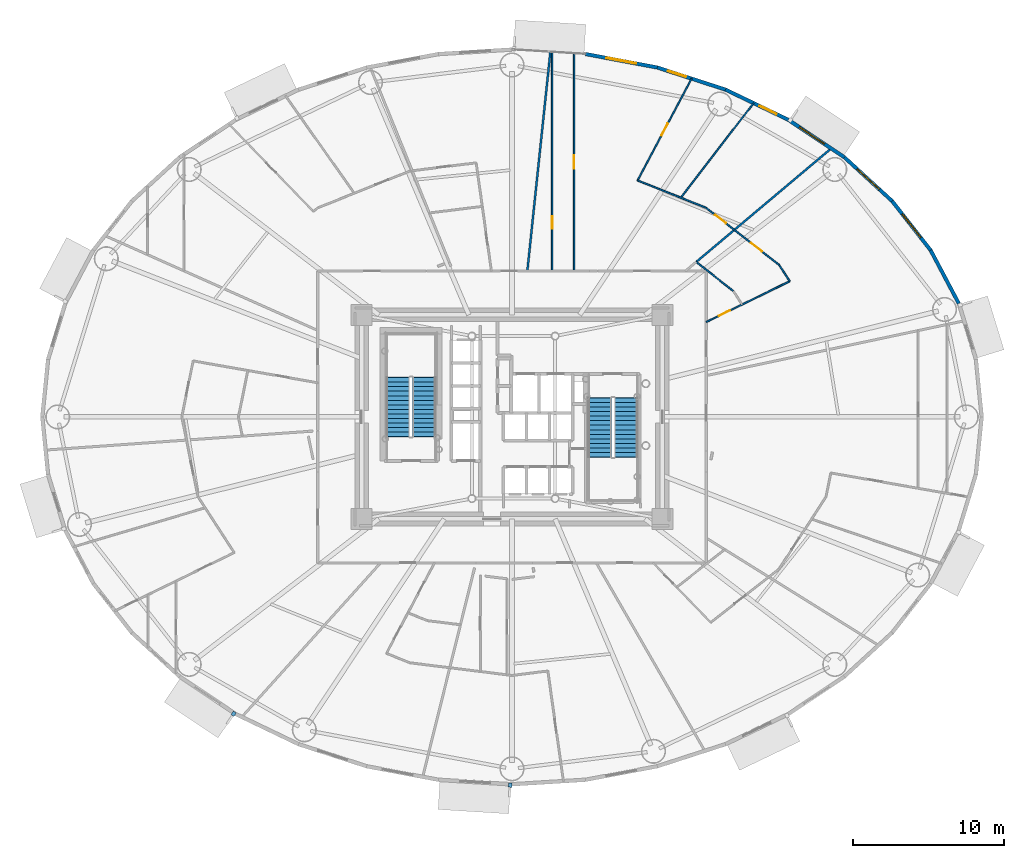
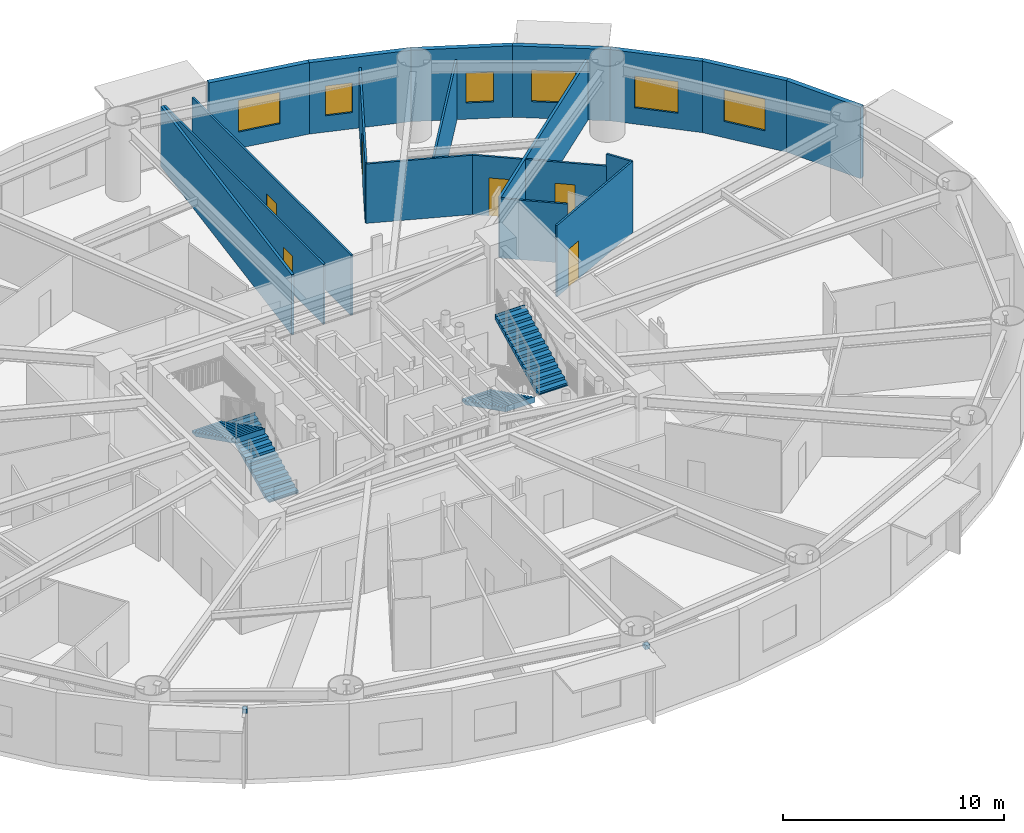
# One storey, part 13 of 21: 18 walls, 6 doors, 6 windows, 4 stair flights, 2 discrete accessories, 12 openings, 2 elements without a shape of their own.
"""IFC4 building model written with IfcOpenShell, lengths in metres."""

from ifc_helpers import new_model, si_unit, direction, frame, frame_2d, origin, origin_2d, place, context, subcontext, project, spatial, polyline, rectangle, outline, extrude, source, transform, mapped, material, layer, layer_set, type_object, element, fill, aggregate, save


model = new_model("IFC4")

# Units and contexts
model_context = context("Model", 3, precision=1e-05, world=origin(), true_north=direction((0.0, 1.0)))
body_context = subcontext(model_context, "Body", "Model", "MODEL_VIEW")
ifc_project = project(units=[si_unit("LENGTHUNIT", "METRE"), si_unit("AREAUNIT", "SQUARE_METRE"), si_unit("VOLUMEUNIT", "CUBIC_METRE"), si_unit("PLANEANGLEUNIT", "RADIAN"), si_unit("MASSUNIT", "GRAM", prefix="KILO")], contexts=[model_context])

# Site, building, storey
site_placement = place(None, origin())
site = spatial("IfcSite", under=ifc_project, at=site_placement, CompositionType="ELEMENT")
building_placement = place(site_placement, origin())
building = spatial("IfcBuilding", under=site, at=building_placement, Name="Linh Dai School and Residence Tower", CompositionType="ELEMENT")
storey_placement = place(building_placement, frame((0.0, 0.0, 61.800048828125)))
storey = spatial("IfcBuildingStorey", under=building, at=storey_placement, Name="L14", CompositionType="ELEMENT", Elevation=61.800048828125)

# Wall
ifc_material_1 = material(Name="Precast Concrete B45 (C35/45)", Category="concrete")
ifc_layer_1 = layer(ifc_material_1, 0.239990234375)
ifc_layer_set_1 = layer_set([ifc_layer_1], Name="Precast Concrete B45 (C35/45)")
wall_type_1 = type_object("IfcWallType", Name="EW-TC-240", PredefinedType="SOLIDWALL", material=ifc_layer_set_1)
wall_1_placement = place(storey_placement, frame((63.694580078125, 38.022705078125, 0.0), z_axis=(0.0, 0.0, 1.0), x_axis=(0.467662443071, -0.883907144072, 0.0)))
element("IfcWall", 1, at=wall_1_placement, inside=storey, type_object=wall_type_1, Name="L14 Terracotta Exterior Wall 03", PredefinedType="SOLIDWALL", context=body_context, shape_type="SweptSolid", body=[
    extrude(rectangle(XDim=3.983642578125, YDim=0.239990234375, at=frame_2d((1.99169921875, 0.0))), origin(), (0.0, 0.0, 1.0), 3.949951171875),
])

# Wall, opening, window
wall_2_placement = place(storey_placement, frame((61.149658203125, 41.274658203125, 0.0), z_axis=(0.0, 0.0, 1.0), x_axis=(0.616295508253, -0.787514981767, 0.0)))
wall_2 = element("IfcWall", 2, at=wall_2_placement, inside=storey, type_object=wall_type_1, Name="L14 Terracotta Exterior Wall 04", PredefinedType="SOLIDWALL", context=body_context, shape_type="SweptSolid", body=[
    extrude(rectangle(XDim=4.12939453125, YDim=0.239990234375, at=frame_2d((2.064697265625, 0.0))), origin(), (0.0, 0.0, 1.0), 3.949951171875),
])
opening_1_placement = place(wall_2_placement, frame((1.064453125, 0.0, 0.89990234375)))
opening_1 = element("IfcOpeningElement", 3, at=opening_1_placement, cuts=wall_2, Name="Opening W1", PredefinedType="OPENING", context=body_context, shape_type="SweptSolid", body=[
    extrude(rectangle(XDim=2.0, YDim=1.75, at=origin_2d()), frame((1.0, 0.1298828125, 0.875), z_axis=(0.0, -1.0, 0.0), x_axis=(1.0, 0.0, 0.0)), (0.0, 0.0, 1.0), 0.260009765625),
])
ifc_material_2 = material(Name="Double Low-E Insulated Glazing", Category="glass")
window_type_1 = type_object("IfcWindowType", Name="WN-RES-2000x1750", PartitioningType="DOUBLE_PANEL_VERTICAL", PredefinedType="WINDOW", material=ifc_material_2)
shared_shape_1 = source(origin(), body_context, "Body", "SweptSolid", [
    extrude(rectangle(XDim=2.0, YDim=1.75, at=origin_2d()), frame((1.0, 0.030029296875, 0.875), z_axis=(0.0, -1.0, 0.0), x_axis=(1.0, 0.0, 0.0)), (0.0, 0.0, 1.0), 0.06005859375),
])
window_1_placement = place(opening_1_placement, origin())
window_1 = element("IfcWindow", 4, at=window_1_placement, inside=storey, type_object=window_type_1, Name="L14 Exterior Window 04.1", OverallHeight=1.75, OverallWidth=2.0, PartitioningType="DOUBLE_PANEL_VERTICAL", PredefinedType="WINDOW", context=body_context, shape_type="MappedRepresentation", body=[
    mapped(shared_shape_1, transform((0.0, 0.0, 0.0), x_axis=(1.0, 0.0, 0.0), y_axis=(0.0, 1.0, 0.0), z_axis=(0.0, 0.0, 1.0), scale=1.0)),
])
fill(opening_1, window_1)

wall_3_placement = place(storey_placement, frame((57.984619140625, 44.17626953125, 0.0), z_axis=(0.0, 0.0, 1.0), x_axis=(0.737116376281, -0.67576582321, 0.0)))
wall_3 = element("IfcWall", 5, at=wall_3_placement, inside=storey, type_object=wall_type_1, Name="L14 Terracotta Exterior Wall 05", PredefinedType="SOLIDWALL", context=body_context, shape_type="SweptSolid", body=[
    extrude(rectangle(XDim=4.293701171875, YDim=0.239990234375, at=frame_2d((2.14697265625, 0.0))), origin(), (0.0, 0.0, 1.0), 3.949951171875),
])
opening_2_placement = place(wall_3_placement, frame((1.146728515625, 0.0, 0.89990234375)))
opening_2 = element("IfcOpeningElement", 6, at=opening_2_placement, cuts=wall_3, Name="Opening W1", PredefinedType="OPENING", context=body_context, shape_type="SweptSolid", body=[
    extrude(rectangle(XDim=2.0, YDim=1.75, at=origin_2d()), frame((1.0, 0.1298828125, 0.875), z_axis=(0.0, -1.0, 0.0), x_axis=(1.0, 0.0, 0.0)), (0.0, 0.0, 1.0), 0.260009765625),
])
window_2_placement = place(opening_2_placement, origin())
window_2 = element("IfcWindow", 7, at=window_2_placement, inside=storey, type_object=window_type_1, Name="L14 Exterior Window 05.1", OverallHeight=1.75, OverallWidth=2.0, PartitioningType="DOUBLE_PANEL_VERTICAL", PredefinedType="WINDOW", context=body_context, shape_type="MappedRepresentation", body=[
    mapped(shared_shape_1, transform((0.0, 0.0, 0.0), x_axis=(1.0, 0.0, 0.0), y_axis=(0.0, 1.0, 0.0), z_axis=(0.0, 0.0, 1.0), scale=1.0)),
])
fill(opening_2, window_2)

wall_4_placement = place(storey_placement, frame((54.277099609375, 46.65576171875, 0.0), z_axis=(0.0, 0.0, 1.0), x_axis=(0.831240982525, -0.555912249343, 0.0)))
wall_4 = element("IfcWall", 8, at=wall_4_placement, inside=storey, type_object=wall_type_1, Name="L14 Terracotta Exterior Wall 06", PredefinedType="SOLIDWALL", context=body_context, shape_type="SweptSolid", body=[
    extrude(rectangle(XDim=4.460205078125, YDim=0.239990234375, at=frame_2d((2.22998046875, 0.0))), origin(), (0.0, 0.0, 1.0), 3.949951171875),
])
opening_3_placement = place(wall_4_placement, frame((0.882568359375, 0.0, 0.89990234375)))
opening_3 = element("IfcOpeningElement", 9, at=opening_3_placement, cuts=wall_4, Name="Opening W1", PredefinedType="OPENING", context=body_context, shape_type="SweptSolid", body=[
    extrude(rectangle(XDim=2.0, YDim=1.75, at=origin_2d()), frame((1.0, 0.1298828125, 0.875), z_axis=(0.0, -1.0, 0.0), x_axis=(1.0, 0.0, 0.0)), (0.0, 0.0, 1.0), 0.260009765625),
])
window_3_placement = place(opening_3_placement, origin())
window_3 = element("IfcWindow", 10, at=window_3_placement, inside=storey, type_object=window_type_1, Name="L14 Exterior Window 06.1", OverallHeight=1.75, OverallWidth=2.0, PartitioningType="DOUBLE_PANEL_VERTICAL", PredefinedType="WINDOW", context=body_context, shape_type="MappedRepresentation", body=[
    mapped(shared_shape_1, transform((0.0, 0.0, 0.0), x_axis=(1.0, 0.0, 0.0), y_axis=(0.0, 1.0, 0.0), z_axis=(0.0, 0.0, 1.0), scale=1.0)),
])
fill(opening_3, window_3)

wall_5_placement = place(storey_placement, frame((50.1181640625, 48.651123046875, 0.0), z_axis=(0.0, 0.0, 1.0), x_axis=(0.901601503137, -0.432567601123, 0.0)))
wall_5 = element("IfcWall", 11, at=wall_5_placement, inside=storey, type_object=wall_type_1, Name="L14 Terracotta Exterior Wall 07", PredefinedType="SOLIDWALL", context=body_context, shape_type="SweptSolid", body=[
    extrude(rectangle(XDim=4.61279296875, YDim=0.239990234375, at=frame_2d((2.306396484375, 0.0))), origin(), (0.0, 0.0, 1.0), 3.949951171875),
])
opening_4_placement = place(wall_5_placement, frame((2.5078125, 0.0, 0.89990234375)))
opening_4 = element("IfcOpeningElement", 12, at=opening_4_placement, cuts=wall_5, Name="Opening W3", PredefinedType="OPENING", context=body_context, shape_type="SweptSolid", body=[
    extrude(rectangle(XDim=1.25, YDim=1.64990234375, at=origin_2d()), frame((0.625, 0.1298828125, 0.824951171875), z_axis=(0.0, -1.0, 0.0), x_axis=(1.0, 0.0, 0.0)), (0.0, 0.0, 1.0), 0.260009765625),
])
window_type_2 = type_object("IfcWindowType", Name="WN-RES-1250x1650", PartitioningType="SINGLE_PANEL", PredefinedType="WINDOW", material=ifc_material_2)
shared_shape_2 = source(origin(), body_context, "Body", "SweptSolid", [
    extrude(rectangle(XDim=1.25, YDim=1.64990234375, at=origin_2d()), frame((0.625, 0.030029296875, 0.824951171875), z_axis=(0.0, -1.0, 0.0), x_axis=(1.0, 0.0, 0.0)), (0.0, 0.0, 1.0), 0.06005859375),
])
window_4_placement = place(opening_4_placement, origin())
window_4 = element("IfcWindow", 13, at=window_4_placement, inside=storey, type_object=window_type_2, Name="L14 Exterior Window 07.1", OverallHeight=1.64990234375, OverallWidth=1.25, PartitioningType="SINGLE_PANEL", PredefinedType="WINDOW", context=body_context, shape_type="MappedRepresentation", body=[
    mapped(shared_shape_2, transform((0.0, 0.0, 0.0), x_axis=(1.0, 0.0, 0.0), y_axis=(0.0, 1.0, 0.0), z_axis=(0.0, 0.0, 1.0), scale=1.0)),
])
fill(opening_4, window_4)

wall_6_placement = place(storey_placement, frame((45.610595703125, 50.11328125, 0.0), z_axis=(0.0, 0.0, 1.0), x_axis=(0.951207699013, -0.308551313946, 0.0)))
wall_6 = element("IfcWall", 14, at=wall_6_placement, inside=storey, type_object=wall_type_1, Name="L14 Terracotta Exterior Wall 08", PredefinedType="SOLIDWALL", context=body_context, shape_type="SweptSolid", body=[
    extrude(rectangle(XDim=4.73876953125, YDim=0.239990234375, at=frame_2d((2.369384765625, 0.0))), origin(), (0.0, 0.0, 1.0), 3.949951171875),
])
opening_5_placement = place(wall_6_placement, frame((0.75146484375, 0.0, 0.89990234375)))
opening_5 = element("IfcOpeningElement", 15, at=opening_5_placement, cuts=wall_6, Name="Opening W3", PredefinedType="OPENING", context=body_context, shape_type="SweptSolid", body=[
    extrude(rectangle(XDim=1.25, YDim=1.64990234375, at=origin_2d()), frame((0.625, 0.1298828125, 0.824951171875), z_axis=(0.0, -1.0, 0.0), x_axis=(1.0, 0.0, 0.0)), (0.0, 0.0, 1.0), 0.260009765625),
])
window_5_placement = place(opening_5_placement, origin())
window_5 = element("IfcWindow", 16, at=window_5_placement, inside=storey, type_object=window_type_2, Name="L14 Exterior Window 08.1", OverallHeight=1.64990234375, OverallWidth=1.25, PartitioningType="SINGLE_PANEL", PredefinedType="WINDOW", context=body_context, shape_type="MappedRepresentation", body=[
    mapped(shared_shape_2, transform((0.0, 0.0, 0.0), x_axis=(1.0, 0.0, 0.0), y_axis=(0.0, 1.0, 0.0), z_axis=(0.0, 0.0, 1.0), scale=1.0)),
])
fill(opening_5, window_5)

wall_7_placement = place(storey_placement, frame((40.865478515625, 51.005126953125, 0.0), z_axis=(0.0, 0.0, 1.0), x_axis=(0.982791952378, -0.184715939598, 0.0)))
wall_7 = element("IfcWall", 17, at=wall_7_placement, inside=storey, type_object=wall_type_1, Name="L14 Terracotta Exterior Wall 09", PredefinedType="SOLIDWALL", context=body_context, shape_type="SweptSolid", body=[
    extrude(rectangle(XDim=4.828125, YDim=0.239990234375, at=frame_2d((2.4140625, 0.0))), origin(), (0.0, 0.0, 1.0), 3.949951171875),
])
opening_6_placement = place(wall_7_placement, frame((1.4140625, 0.0, 0.89990234375)))
opening_6 = element("IfcOpeningElement", 18, at=opening_6_placement, cuts=wall_7, Name="Opening W1", PredefinedType="OPENING", context=body_context, shape_type="SweptSolid", body=[
    extrude(rectangle(XDim=2.0, YDim=1.75, at=origin_2d()), frame((1.0, 0.1298828125, 0.875), z_axis=(0.0, -1.0, 0.0), x_axis=(1.0, 0.0, 0.0)), (0.0, 0.0, 1.0), 0.260009765625),
])
window_6_placement = place(opening_6_placement, origin())
window_6 = element("IfcWindow", 19, at=window_6_placement, inside=storey, type_object=window_type_1, Name="L14 Exterior Window 09.1", OverallHeight=1.75, OverallWidth=2.0, PartitioningType="DOUBLE_PANEL_VERTICAL", PredefinedType="WINDOW", context=body_context, shape_type="MappedRepresentation", body=[
    mapped(shared_shape_1, transform((0.0, 0.0, 0.0), x_axis=(1.0, 0.0, 0.0), y_axis=(0.0, 1.0, 0.0), z_axis=(0.0, 0.0, 1.0), scale=1.0)),
])
fill(opening_6, window_6)

# Walls
ifc_material_3 = material(Name="Autoclaved Aerated Concrete Blockwork", Category="masonry")
ifc_layer_2 = layer(ifc_material_3, 0.135009765625)
ifc_layer_set_2 = layer_set([ifc_layer_2], Name="Autoclaved Aerated Concrete Blockwork")
wall_type_2 = type_object("IfcWallType", Name="IW-CORR-135-EI90", PredefinedType="PARTITIONING", material=ifc_layer_set_2)
wall_8_placement = place(storey_placement, frame((37.01416015625, 36.64990234375, 0.0), z_axis=(0.0, 0.0, 1.0), x_axis=(0.104529666954, 0.994521768855, 0.0)))
element("IfcWall", 20, at=wall_8_placement, inside=storey, type_object=wall_type_2, Name="L14 Interior Partition Wall 062", PredefinedType="PARTITIONING", context=body_context, shape_type="SweptSolid", body=[
    extrude(rectangle(XDim=14.58349609375, YDim=0.135009765625, at=frame_2d((7.291748046875, 0.0))), origin(), (0.0, 0.0, 1.0), 3.3349609375),
])
wall_9_placement = place(storey_placement, frame((48.19384765625, 37.25634765625, 0.0), z_axis=(0.0, 0.0, 1.0), x_axis=(0.76528027527, 0.643697211647, 0.0)))
element("IfcWall", 21, at=wall_9_placement, inside=storey, type_object=wall_type_2, Name="L14 Interior Partition Wall 088", PredefinedType="PARTITIONING", context=body_context, shape_type="SweptSolid", body=[
    extrude(rectangle(XDim=11.66064453125, YDim=0.135009765625, at=frame_2d((5.830322265625, 0.0))), origin(), (0.0, 0.0, 1.0), 3.3349609375),
])

# Wall, opening, door
ifc_material_4 = material(Name="Gypsum Plasterboard Acoustic Stud Partition", Category="masonry")
ifc_layer_3 = layer(ifc_material_4, 0.10009765625)
ifc_layer_set_3 = layer_set([ifc_layer_3], Name="Gypsum Plasterboard Acoustic Stud Partition")
wall_type_3 = type_object("IfcWallType", Name="IW-UNIT-100", PredefinedType="PARTITIONING", material=ifc_layer_set_3)
wall_10_placement = place(storey_placement, frame((38.657470703125, 36.64990234375, 0.0), z_axis=(0.0, 0.0, 1.0), x_axis=(0.0, 1.0, 0.0)))
wall_10 = element("IfcWall", 22, at=wall_10_placement, inside=storey, type_object=wall_type_3, Name="L14 Interior Partition Wall 068", PredefinedType="PARTITIONING", context=body_context, shape_type="SweptSolid", body=[
    extrude(rectangle(XDim=14.496337890625, YDim=0.10009765625, at=frame_2d((7.248046875, 0.0))), origin(), (0.0, 0.0, 1.0), 3.3349609375),
])
opening_7_placement = place(wall_10_placement, frame((2.80712890625, 0.0, 0.0)))
opening_7 = element("IfcOpeningElement", 23, at=opening_7_placement, cuts=wall_10, Name="Opening D06", PredefinedType="OPENING", context=body_context, shape_type="SweptSolid", body=[
    extrude(rectangle(XDim=0.820068359375, YDim=2.10009765625, at=origin_2d()), frame((0.41015625, 0.06005859375, 1.050048828125), z_axis=(0.0, -1.0, 0.0), x_axis=(1.0, 0.0, 0.0)), (0.0, 0.0, 1.0), 0.1201171875),
])
ifc_material_5 = material(Name="Moisture-Resistant Timber Bathroom Door", Category="wood")
door_type_1 = type_object("IfcDoorType", Name="DR-WET-820x2100", OperationType="NOTDEFINED", PredefinedType="DOOR", material=ifc_material_5)
shared_shape_3 = source(origin(), body_context, "Body", "SweptSolid", [
    extrude(rectangle(XDim=0.820068359375, YDim=2.10009765625, at=origin_2d()), frame((0.41015625, 0.02490234375, 1.050048828125), z_axis=(0.0, -1.0, 0.0), x_axis=(1.0, 0.0, 0.0)), (0.0, 0.0, 1.0), 0.050048828125),
])
door_1_placement = place(opening_7_placement, origin())
door_1 = element("IfcDoor", 24, at=door_1_placement, inside=storey, type_object=door_type_1, Name="L14 Apartment U1402 Bathroom 1 Door", OperationType="SINGLE_SWING_RIGHT", OverallHeight=2.10009765625, OverallWidth=0.820068359375, PredefinedType="DOOR", context=body_context, shape_type="MappedRepresentation", body=[
    mapped(shared_shape_3, transform((0.0, 0.0, 0.0), x_axis=(1.0, 0.0, 0.0), y_axis=(0.0, 1.0, 0.0), z_axis=(0.0, 0.0, 1.0), scale=1.0)),
])
fill(opening_7, door_1)

wall_11_placement = place(storey_placement, frame((40.103515625, 36.64990234375, 0.0), z_axis=(0.0, 0.0, 1.0), x_axis=(0.0, 1.0, 0.0)))
wall_11 = element("IfcWall", 25, at=wall_11_placement, inside=storey, type_object=wall_type_3, Name="L14 Interior Partition Wall 075", PredefinedType="PARTITIONING", context=body_context, shape_type="SweptSolid", body=[
    extrude(rectangle(XDim=14.4072265625, YDim=0.10009765625, at=frame_2d((7.20361328125, 0.0))), origin(), (0.0, 0.0, 1.0), 3.3349609375),
])
opening_8_placement = place(wall_11_placement, frame((6.753662109375, 0.0, 0.0)))
opening_8 = element("IfcOpeningElement", 26, at=opening_8_placement, cuts=wall_11, Name="Opening D05", PredefinedType="OPENING", context=body_context, shape_type="SweptSolid", body=[
    extrude(rectangle(XDim=0.89990234375, YDim=2.10009765625, at=origin_2d()), frame((0.449951171875, 0.06005859375, 1.050048828125), z_axis=(0.0, -1.0, 0.0), x_axis=(1.0, 0.0, 0.0)), (0.0, 0.0, 1.0), 0.1201171875),
])
ifc_material_6 = material(Name="Engineered Timber Internal Door", Category="wood")
door_type_2 = type_object("IfcDoorType", Name="DR-INT-900x2100", OperationType="NOTDEFINED", PredefinedType="DOOR", material=ifc_material_6)
shared_shape_4 = source(origin(), body_context, "Body", "SweptSolid", [
    extrude(rectangle(XDim=0.89990234375, YDim=2.10009765625, at=origin_2d()), frame((0.449951171875, 0.02490234375, 1.050048828125), z_axis=(0.0, -1.0, 0.0), x_axis=(1.0, 0.0, 0.0)), (0.0, 0.0, 1.0), 0.050048828125),
])
door_2_placement = place(opening_8_placement, origin())
door_2 = element("IfcDoor", 27, at=door_2_placement, inside=storey, type_object=door_type_2, Name="L14 Apartment U1402 Kitchen Door", OperationType="SINGLE_SWING_LEFT", OverallHeight=2.10009765625, OverallWidth=0.89990234375, PredefinedType="DOOR", context=body_context, shape_type="MappedRepresentation", body=[
    mapped(shared_shape_4, transform((0.0, 0.0, 0.0), x_axis=(1.0, 0.0, 0.0), y_axis=(0.0, 1.0, 0.0), z_axis=(0.0, 0.0, 1.0), scale=1.0)),
])
fill(opening_8, door_2)

wall_12_placement = place(storey_placement, frame((44.3056640625, 42.64306640625, 0.0), z_axis=(0.0, 0.0, 1.0), x_axis=(0.468943074609, 0.883228392193, 0.0)))
wall_12 = element("IfcWall", 28, at=wall_12_placement, inside=storey, type_object=wall_type_3, Name="L14 Interior Partition Wall 080", PredefinedType="PARTITIONING", context=body_context, shape_type="SweptSolid", body=[
    extrude(rectangle(XDim=7.629150390625, YDim=0.10009765625, at=frame_2d((3.814453125, 0.0))), origin(), (0.0, 0.0, 1.0), 3.3349609375),
])
opening_9_placement = place(wall_12_placement, frame((3.364501953125, 0.0, 0.0)))
opening_9 = element("IfcOpeningElement", 29, at=opening_9_placement, cuts=wall_12, Name="Opening D05", PredefinedType="OPENING", context=body_context, shape_type="SweptSolid", body=[
    extrude(rectangle(XDim=0.89990234375, YDim=2.10009765625, at=origin_2d()), frame((0.449951171875, 0.06005859375, 1.050048828125), z_axis=(0.0, -1.0, 0.0), x_axis=(1.0, 0.0, 0.0)), (0.0, 0.0, 1.0), 0.1201171875),
])
door_3_placement = place(opening_9_placement, origin())
door_3 = element("IfcDoor", 30, at=door_3_placement, inside=storey, type_object=door_type_2, Name="L14 Apartment U1402 Study Door", OperationType="SINGLE_SWING_RIGHT", OverallHeight=2.10009765625, OverallWidth=0.89990234375, PredefinedType="DOOR", context=body_context, shape_type="MappedRepresentation", body=[
    mapped(shared_shape_4, transform((0.0, 0.0, 0.0), x_axis=(1.0, 0.0, 0.0), y_axis=(0.0, 1.0, 0.0), z_axis=(0.0, 0.0, 1.0), scale=1.0)),
])
fill(opening_9, door_3)

# Walls
wall_13_placement = place(storey_placement, frame((44.3056640625, 42.64306640625, 0.0), z_axis=(0.0, 0.0, 1.0), x_axis=(0.928800719386, -0.37057957805, 0.0)))
element("IfcWall", 31, at=wall_13_placement, inside=storey, type_object=wall_type_3, Name="L14 Interior Partition Wall 081", PredefinedType="PARTITIONING", context=body_context, shape_type="SweptSolid", body=[
    extrude(rectangle(XDim=4.879150390625, YDim=0.10009765625, at=frame_2d((2.439453125, 0.0))), origin(), (0.0, 0.0, 1.0), 3.284912109375),
])
wall_14_placement = place(storey_placement, frame((47.166259765625, 41.501708984375, 0.0), z_axis=(0.0, 0.0, 1.0), x_axis=(0.610084092609, 0.792336670832, 0.0)))
element("IfcWall", 32, at=wall_14_placement, inside=storey, type_object=wall_type_3, Name="L14 Interior Partition Wall 085", PredefinedType="PARTITIONING", context=body_context, shape_type="SweptSolid", body=[
    extrude(rectangle(XDim=7.8994140625, YDim=0.10009765625, at=frame_2d((3.94970703125, 0.0))), origin(), (0.0, 0.0, 1.0), 3.3349609375),
])
wall_15_placement = place(storey_placement, frame((48.18603515625, 37.25, 0.0), z_axis=(0.0, 0.0, 1.0), x_axis=(0.787352897258, -0.61650256705, 0.0)))
element("IfcWall", 33, at=wall_15_placement, inside=storey, type_object=wall_type_3, Name="L14 Interior Partition Wall 087", PredefinedType="PARTITIONING", context=body_context, shape_type="SweptSolid", body=[
    extrude(rectangle(XDim=3.11669921875, YDim=0.10009765625, at=frame_2d((1.558349609375, 0.0))), origin(), (0.0, 0.0, 1.0), 3.284912109375),
])

# Wall, openings, doors
wall_16_placement = place(storey_placement, frame((48.837158203125, 40.8349609375, 0.0), z_axis=(0.0, 0.0, 1.0), x_axis=(0.787362261728, -0.616490607233, 0.0)))
wall_16 = element("IfcWall", 34, at=wall_16_placement, inside=storey, type_object=wall_type_3, Name="L14 Interior Partition Wall 089", PredefinedType="PARTITIONING", context=body_context, shape_type="SweptSolid", body=[
    extrude(rectangle(XDim=6.13671875, YDim=0.10009765625, at=frame_2d((3.068359375, 0.0))), origin(), (0.0, 0.0, 1.0), 3.284912109375),
])
opening_10_placement = place(wall_16_placement, frame((3.785888671875, 0.0, 0.0)))
opening_10 = element("IfcOpeningElement", 35, at=opening_10_placement, cuts=wall_16, Name="Opening D05", PredefinedType="OPENING", context=body_context, shape_type="SweptSolid", body=[
    extrude(rectangle(XDim=0.89990234375, YDim=2.10009765625, at=origin_2d()), frame((0.449951171875, 0.06005859375, 1.050048828125), z_axis=(0.0, -1.0, 0.0), x_axis=(1.0, 0.0, 0.0)), (0.0, 0.0, 1.0), 0.1201171875),
])
opening_11_placement = place(wall_16_placement, frame((0.757568359375, 0.0, 0.0)))
opening_11 = element("IfcOpeningElement", 36, at=opening_11_placement, cuts=wall_16, Name="Opening D05", PredefinedType="OPENING", context=body_context, shape_type="SweptSolid", body=[
    extrude(rectangle(XDim=0.89990234375, YDim=2.10009765625, at=origin_2d()), frame((0.449951171875, 0.06005859375, 1.050048828125), z_axis=(0.0, -1.0, 0.0), x_axis=(1.0, 0.0, 0.0)), (0.0, 0.0, 1.0), 0.1201171875),
])
door_4_placement = place(opening_10_placement, origin())
door_4 = element("IfcDoor", 37, at=door_4_placement, inside=storey, type_object=door_type_2, Name="L14 Apartment U1401 Kitchen Door", OperationType="SINGLE_SWING_LEFT", OverallHeight=2.10009765625, OverallWidth=0.89990234375, PredefinedType="DOOR", context=body_context, shape_type="MappedRepresentation", body=[
    mapped(shared_shape_4, transform((0.0, 0.0, 0.0), x_axis=(1.0, 0.0, 0.0), y_axis=(0.0, 1.0, 0.0), z_axis=(0.0, 0.0, 1.0), scale=1.0)),
])
fill(opening_10, door_4)
door_5_placement = place(opening_11_placement, origin())
door_5 = element("IfcDoor", 38, at=door_5_placement, inside=storey, type_object=door_type_2, Name="L14 Apartment U1402 Principal Bedroom 1 Door", OperationType="SINGLE_SWING_LEFT", OverallHeight=2.10009765625, OverallWidth=0.89990234375, PredefinedType="DOOR", context=body_context, shape_type="MappedRepresentation", body=[
    mapped(shared_shape_4, transform((0.0, 0.0, 0.0), x_axis=(1.0, 0.0, 0.0), y_axis=(0.0, 1.0, 0.0), z_axis=(0.0, 0.0, 1.0), scale=1.0)),
])
fill(opening_11, door_5)

# Wall, opening, door
wall_17_placement = place(storey_placement, frame((48.85009765625, 33.27685546875, 0.0), z_axis=(0.0, 0.0, 1.0), x_axis=(0.898537268474, 0.438897228476, 0.0)))
wall_17 = element("IfcWall", 39, at=wall_17_placement, inside=storey, type_object=wall_type_3, Name="L14 Interior Partition Wall 094", PredefinedType="PARTITIONING", context=body_context, shape_type="SweptSolid", body=[
    extrude(rectangle(XDim=6.143798828125, YDim=0.10009765625, at=frame_2d((3.07177734375, 0.0))), origin(), (0.0, 0.0, 1.0), 3.949951171875),
])
opening_12_placement = place(wall_17_placement, frame((0.9296875, 0.0, 0.0)))
opening_12 = element("IfcOpeningElement", 40, at=opening_12_placement, cuts=wall_17, Name="Opening D06", PredefinedType="OPENING", context=body_context, shape_type="SweptSolid", body=[
    extrude(rectangle(XDim=0.820068359375, YDim=2.10009765625, at=origin_2d()), frame((0.41015625, 0.06005859375, 1.050048828125), z_axis=(0.0, -1.0, 0.0), x_axis=(1.0, 0.0, 0.0)), (0.0, 0.0, 1.0), 0.1201171875),
])
door_6_placement = place(opening_12_placement, origin())
door_6 = element("IfcDoor", 41, at=door_6_placement, inside=storey, type_object=door_type_1, Name="L14 Apartment U1401 Bathroom Door", OperationType="SINGLE_SWING_RIGHT", OverallHeight=2.10009765625, OverallWidth=0.820068359375, PredefinedType="DOOR", context=body_context, shape_type="MappedRepresentation", body=[
    mapped(shared_shape_3, transform((0.0, 0.0, 0.0), x_axis=(1.0, 0.0, 0.0), y_axis=(0.0, 1.0, 0.0), z_axis=(0.0, 0.0, 1.0), scale=1.0)),
])
fill(opening_12, door_6)

# Wall
wall_18_placement = place(storey_placement, frame((53.6689453125, 37.0517578125, 0.0), z_axis=(0.0, 0.0, 1.0), x_axis=(0.545381825814, -0.838187726033, 0.0)))
element("IfcWall", 42, at=wall_18_placement, inside=storey, type_object=wall_type_3, Name="L14 Interior Partition Wall 098", PredefinedType="PARTITIONING", context=body_context, shape_type="SweptSolid", body=[
    extrude(rectangle(XDim=1.28662109375, YDim=0.10009765625, at=frame_2d((0.643310546875, 0.0))), origin(), (0.0, 0.0, 1.0), 3.949951171875),
])

# Stair, stair flights
ifc_material_7 = material(Name="Concrete B45 (C35/45)", Category="concrete")
stair_type = type_object("IfcStairType", Name="ST-DOG-1550-R1500", PredefinedType="HALF_TURN_STAIR", material=ifc_material_7)
stair_1_placement = place(storey_placement, origin())
stair_1 = element("IfcStair", 43, at=stair_1_placement, inside=storey, type_object=stair_type, Name="L14 Core Smokeproof Exit Stair ST1", PredefinedType="HALF_TURN_STAIR")
stair_flight_type = type_object("IfcStairFlightType", Name="STF-STR-1550-R1500", PredefinedType="STRAIGHT", material=ifc_material_7)
shared_shape_5 = source(origin(), body_context, "Body", "SweptSolid", [
    extrude(outline(polyline([(-0.02490234375, 0.0), (-0.02490234375, 0.06005859375), (0.0, 0.06005859375), (0.0, 0.14990234375), (0.300048828125, 0.14990234375), (0.300048828125, 0.300048828125), (0.60009765625, 0.300048828125), (0.60009765625, 0.449951171875), (0.89990234375, 0.449951171875), (0.89990234375, 0.60009765625), (1.199951171875, 0.60009765625), (1.199951171875, 0.75), (1.5, 0.75), (1.5, 0.89990234375), (1.800048828125, 0.89990234375), (1.800048828125, 1.050048828125), (2.10009765625, 1.050048828125), (2.10009765625, 1.199951171875), (2.39990234375, 1.199951171875), (2.39990234375, 1.35009765625), (2.699951171875, 1.35009765625), (2.699951171875, 1.5), (3.0, 1.5), (3.0, 1.64990234375), (3.300048828125, 1.64990234375), (3.300048828125, 1.800048828125), (3.60009765625, 1.800048828125), (3.60009765625, 1.949951171875), (3.89990234375, 1.949951171875), (3.89990234375, 2.10009765625), (3.925048828125, 2.10009765625), (3.925048828125, 1.782470703125), (3.89990234375, 1.782470703125), (0.335205078125, 0.0), (-0.02490234375, 0.0)])), frame((0.0, 0.77490234375, 0.0), z_axis=(0.0, -1.0, 0.0), x_axis=(1.0, 0.0, 0.0)), (0.0, 0.0, 1.0), 1.550048828125),
])
stair_flight_1_placement = place(storey_placement, frame((30.205078125, 25.699951171875, 0.0), z_axis=(0.0, 0.0, 1.0), x_axis=(0.0, 1.0, 0.0)))
stair_flight_1 = element("IfcStairFlight", 44, at=stair_flight_1_placement, type_object=stair_flight_type, Name="ST1 flight 1", NumberOfRisers=14, NumberOfTreads=13, PredefinedType="STRAIGHT", RiserHeight=0.15, TreadLength=0.3, context=body_context, shape_type="MappedRepresentation", body=[
    mapped(shared_shape_5, transform((0.0, 0.0, 0.0), x_axis=(1.0, 0.0, 0.0), y_axis=(0.0, 1.0, 0.0), z_axis=(0.0, 0.0, 1.0), scale=1.0)),
])
stair_flight_2_placement = place(storey_placement, frame((28.455078125, 29.60009765625, 2.099853515625), z_axis=(0.0, 0.0, 1.0), x_axis=(0.0, -1.0, 0.0)))
stair_flight_2 = element("IfcStairFlight", 45, at=stair_flight_2_placement, type_object=stair_flight_type, Name="ST1 flight 2", NumberOfRisers=14, NumberOfTreads=13, PredefinedType="STRAIGHT", RiserHeight=0.15, TreadLength=0.3, context=body_context, shape_type="MappedRepresentation", body=[
    mapped(shared_shape_5, transform((0.0, 0.0, 0.0), x_axis=(1.0, 0.0, 0.0), y_axis=(0.0, 1.0, 0.0), z_axis=(0.0, 0.0, 1.0), scale=1.0)),
])
aggregate(stair_1, [stair_flight_1, stair_flight_2])

stair_2_placement = place(storey_placement, origin())
stair_2 = element("IfcStair", 46, at=stair_2_placement, inside=storey, type_object=stair_type, Name="L14 Core Smokeproof Exit Stair ST2", PredefinedType="HALF_TURN_STAIR")
stair_flight_3_placement = place(storey_placement, frame((41.794921875, 28.25, 0.0), z_axis=(0.0, 0.0, 1.0), x_axis=(0.0, -1.0, 0.0)))
stair_flight_3 = element("IfcStairFlight", 47, at=stair_flight_3_placement, type_object=stair_flight_type, Name="ST2 flight 1", NumberOfRisers=14, NumberOfTreads=13, PredefinedType="STRAIGHT", RiserHeight=0.15, TreadLength=0.3, context=body_context, shape_type="MappedRepresentation", body=[
    mapped(shared_shape_5, transform((0.0, 0.0, 0.0), x_axis=(1.0, 0.0, 0.0), y_axis=(0.0, 1.0, 0.0), z_axis=(0.0, 0.0, 1.0), scale=1.0)),
])
stair_flight_4_placement = place(storey_placement, frame((43.544921875, 24.35009765625, 2.099853515625), z_axis=(0.0, 0.0, 1.0), x_axis=(0.0, 1.0, 0.0)))
stair_flight_4 = element("IfcStairFlight", 48, at=stair_flight_4_placement, type_object=stair_flight_type, Name="ST2 flight 2", NumberOfRisers=14, NumberOfTreads=13, PredefinedType="STRAIGHT", RiserHeight=0.15, TreadLength=0.3, context=body_context, shape_type="MappedRepresentation", body=[
    mapped(shared_shape_5, transform((0.0, 0.0, 0.0), x_axis=(1.0, 0.0, 0.0), y_axis=(0.0, 1.0, 0.0), z_axis=(0.0, 0.0, 1.0), scale=1.0)),
])
aggregate(stair_2, [stair_flight_3, stair_flight_4])

# Discrete accessories
ifc_material_8 = material(Name="Structural Steel S355JR", Category="steel")
discrete_accessory_type = type_object("IfcDiscreteAccessoryType", Name="ACC-BRK-S355", PredefinedType="BRACKET", material=ifc_material_8)
shared_shape_6 = source(origin(), body_context, "Body", "SweptSolid", [
    extrude(rectangle(XDim=0.280029296875, YDim=0.239990234375, at=origin_2d()), origin(), (0.0, 0.0, 1.0), 0.219970703125),
])
for number, where, z_axis, x_axis, name in (
    (49, (17.58984375, 7.361083984375, 3.7001953125), (0.0, 0.0, 1.0), (-0.555897899828, -0.831250578927, 0.0), "L14 Facade Frame Anchor Bracket 26"),
    (50, (35.87646484375, 2.642578125, 3.7001953125), (0.0, 0.0, 1.0), (-0.061506595367, -0.998106677027, 0.0), "L14 Facade Frame Anchor Bracket 30"),
):
    element("IfcDiscreteAccessory", number, at=place(storey_placement, frame(where, z_axis=z_axis, x_axis=x_axis)), inside=storey, type_object=discrete_accessory_type, Name=name, PredefinedType="BRACKET", context=body_context, shape_type="MappedRepresentation", body=[
        mapped(shared_shape_6, transform((0.0, 0.0, 0.0), x_axis=(1.0, 0.0, 0.0), y_axis=(0.0, 1.0, 0.0), z_axis=(0.0, 0.0, 1.0), scale=1.0)),
    ])

save(model, "model.ifc")
